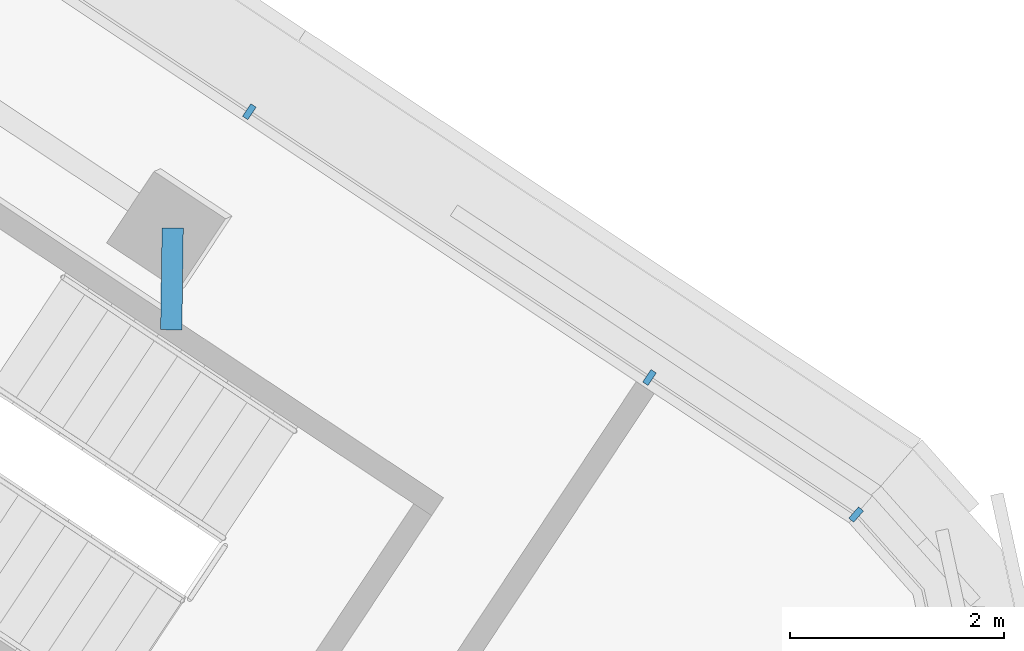
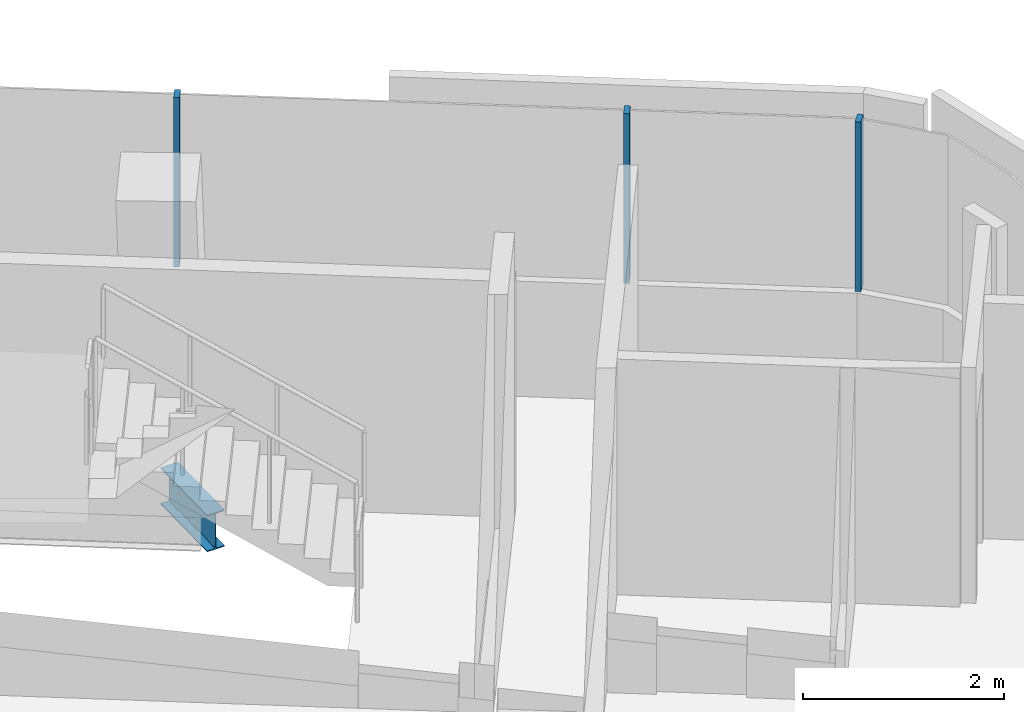
# One storey, part 14 of 27: 3 members, 1 beam, 1 element without a shape of its own.
"""IFC4 building model written with IfcOpenShell, lengths in metres."""

import ifcopenshell
import ifcopenshell.guid

model = None  # the IFC model being written
_history = None  # IfcOwnerHistory: only IFC2X3 demands one
_inside = {}  # id of a spatial element -> (the spatial element, [elements in it])
_under = {}  # id of a project, library or spatial element -> (it, [spatial elements below it])
_declared = {}  # id of a project -> (the project, [libraries it declares])
_typed = {}  # id of a type object -> (the type object, [elements of that type])
_made_of = {}  # id of a material, layer set ... -> (it, [elements and type objects made of it])


def new_model(schema):
    """Start an empty IFC model of exactly this schema.

    Asked for "IFC4X3", IfcOpenShell would pick the latest addendum, in which some entities
    have other attributes; the version numbers below select the first issue.
    IFC2X3 requires an IfcOwnerHistory on every rooted entity: one is made here for all.
    """
    global model, _history
    if schema == "IFC4X3":
        model = ifcopenshell.file(schema_version=(4, 3, 0, 0))
    else:
        model = ifcopenshell.file(schema=schema)
    _inside.clear()
    _under.clear()
    _declared.clear()
    _typed.clear()
    _made_of.clear()
    _history = None
    if model.schema == "IFC2X3":
        org = make("IfcOrganization", Name="unknown")
        user = make(
            "IfcPersonAndOrganization",
            ThePerson=make("IfcPerson", FamilyName="unknown"),
            TheOrganization=org,
        )
        app = make(
            "IfcApplication",
            ApplicationDeveloper=org,
            Version="unknown",
            ApplicationFullName="unknown",
            ApplicationIdentifier="unknown",
        )
        _history = make(
            "IfcOwnerHistory",
            OwningUser=user,
            OwningApplication=app,
            ChangeAction="ADDED",
            CreationDate=0,
        )
    return model


def make(cls, **values):
    """One entity of the class cls with the attributes given. An attribute that is None is left unset."""
    return model.create_entity(
        cls, **{name: value for name, value in values.items() if value is not None}
    )


def rooted(cls, **values):
    """An entity with a GlobalId (a new one), such as an element, a storey or a relation."""
    return make(cls, GlobalId=ifcopenshell.guid.new(), OwnerHistory=_history, **values)


def si_unit(unit_type, name, prefix=None):
    """IfcSIUnit, for example si_unit("LENGTHUNIT", "METRE", prefix="MILLI")."""
    return make("IfcSIUnit", UnitType=unit_type, Prefix=prefix, Name=name)


def assignment(units):
    """IfcUnitAssignment: the units of a project."""
    return None if units is None else make("IfcUnitAssignment", Units=units)


def point(xyz):
    """IfcCartesianPoint."""
    return None if xyz is None else make("IfcCartesianPoint", Coordinates=xyz)


def direction(xyz):
    """IfcDirection."""
    return None if xyz is None else make("IfcDirection", DirectionRatios=xyz)


def frame(location, z_axis=None, x_axis=None):
    """IfcAxis2Placement3D, a coordinate frame: its origin and axes. An axis left out is left unset."""
    return make(
        "IfcAxis2Placement3D",
        Location=point(location),
        Axis=direction(z_axis),
        RefDirection=direction(x_axis),
    )


def frame_2d(location, x_axis=None):
    """IfcAxis2Placement2D, a coordinate frame in the plane: its origin and x axis."""
    return make(
        "IfcAxis2Placement2D", Location=point(location), RefDirection=direction(x_axis)
    )


def origin():
    """The frame at (0, 0, 0) with its axes left unset."""
    return frame((0.0, 0.0, 0.0))


def origin_2d():
    """The frame at (0, 0) in the plane with its x axis left unset."""
    return frame_2d((0.0, 0.0))


def place(relative_to, where):
    """IfcLocalPlacement: puts the frame where relative to a parent placement (None: the world)."""
    return make(
        "IfcLocalPlacement", PlacementRelTo=relative_to, RelativePlacement=where
    )


def context(
    kind, dimensions, precision=None, world=None, true_north=None, identifier=None
):
    """IfcGeometricRepresentationContext, for example the 3D "Model" context."""
    return make(
        "IfcGeometricRepresentationContext",
        ContextIdentifier=identifier,
        ContextType=kind,
        CoordinateSpaceDimension=dimensions,
        Precision=precision,
        WorldCoordinateSystem=world,
        TrueNorth=true_north,
    )


def subcontext(parent, identifier, kind, view, scale=None):
    """IfcGeometricRepresentationSubContext, for example "Body" below "Model"."""
    return make(
        "IfcGeometricRepresentationSubContext",
        ContextIdentifier=identifier,
        ContextType=kind,
        ParentContext=parent,
        TargetScale=scale,
        TargetView=view,
    )


def project(units=None, contexts=None):
    """IfcProject with its units and contexts."""
    return rooted(
        "IfcProject",
        Name="project",
        RepresentationContexts=contexts,
        UnitsInContext=assignment(units),
    )


def spatial(cls, under=None, at=None, **own):
    """A site, building, storey or space (cls), placed at a placement, below another one or the project."""
    s = rooted(cls, ObjectPlacement=at, **own)
    if under is not None:
        _under.setdefault(under.id(), (under, []))[1].append(s)
    return s


def profile(cls, at=None, kind="AREA", **sizes):
    """A parametric profile (cls). Its sizes go by their IFC names, for example OverallWidth=200.0."""
    return make(cls, ProfileType=kind, Position=at, **sizes)


def rectangle(**sizes):
    """IfcRectangleProfileDef."""
    return profile("IfcRectangleProfileDef", **sizes)


def i_section(**sizes):
    """IfcIShapeProfileDef."""
    return profile("IfcIShapeProfileDef", **sizes)


def extrude(swept, where, along, depth):
    """IfcExtrudedAreaSolid: the profile swept, set in the frame where, extruded along a direction by depth."""
    return make(
        "IfcExtrudedAreaSolid",
        SweptArea=swept,
        Position=where,
        ExtrudedDirection=direction(along),
        Depth=depth,
    )


def shape(context_of_items, identifier, shape_type, items):
    """IfcShapeRepresentation: the items that make up one representation, for example the "Body"."""
    return make(
        "IfcShapeRepresentation",
        ContextOfItems=context_of_items,
        RepresentationIdentifier=identifier,
        RepresentationType=shape_type,
        Items=items,
    )


def material(Name=None, Category=None):
    """IfcMaterial."""
    return make("IfcMaterial", Name=Name, Category=Category)


def layer(
    of_material, thickness, ventilated=None, Name=None, Category=None, Priority=None
):
    """IfcMaterialLayer: one layer of a wall or slab, of a material (None: an air gap)."""
    return make(
        "IfcMaterialLayer",
        Material=of_material,
        LayerThickness=thickness,
        IsVentilated=ventilated,
        Name=Name,
        Category=Category,
        Priority=Priority,
    )


def layer_set(layers, Name=None):
    """IfcMaterialLayerSet."""
    return make("IfcMaterialLayerSet", MaterialLayers=layers, LayerSetName=Name)


def material_profile(
    of_material, cross_section, Name=None, Category=None, Priority=None
):
    """IfcMaterialProfile: a cross section and its material."""
    return make(
        "IfcMaterialProfile",
        Name=Name,
        Material=of_material,
        Profile=cross_section,
        Priority=Priority,
        Category=Category,
    )


def profile_set(profiles, Name=None, composite=None):
    """IfcMaterialProfileSet."""
    return make(
        "IfcMaterialProfileSet",
        Name=Name,
        MaterialProfiles=profiles,
        CompositeProfile=composite,
    )


def made_of(thing, what):
    """Note that an element or type object is made of a material, layer set ...; save() writes the relation."""
    if what is not None:
        _made_of.setdefault(what.id(), (what, []))[1].append(thing)
    return thing


def type_object(cls, material=None, **own):
    """A type object (cls), such as IfcWallType, which elements share."""
    return made_of(rooted(cls, **own), material)


def element(
    cls,
    number,
    at=None,
    inside=None,
    cuts=None,
    type_object=None,
    material=None,
    context=None,
    identifier="Body",
    shape_type=None,
    held_by="IfcProductDefinitionShape",
    body=None,
    shapes=None,
    **own,
):
    """One element of the class cls, such as IfcWall. Its Tag is "e" and its number.

    at: its placement. inside: the storey or other place that contains it. cuts: it is an
    opening in that element (IfcRelVoidsElement). A single representation is given by context,
    identifier, shape_type and body (its items); several are given by shapes. held_by: the class
    of the entity that holds the representations. save() writes the other relations.
    """
    e = rooted(cls, Tag="e%d" % number, ObjectPlacement=at, **own)
    if body is not None:
        shapes = [shape(context, identifier, shape_type, body)]
    if shapes is not None:
        e.Representation = make(held_by, Representations=shapes)
    if inside is not None:
        _inside.setdefault(inside.id(), (inside, []))[1].append(e)
    if cuts is not None:
        rooted(
            "IfcRelVoidsElement", RelatingBuildingElement=cuts, RelatedOpeningElement=e
        )
    if type_object is not None:
        _typed.setdefault(type_object.id(), (type_object, []))[1].append(e)
    return made_of(e, material)


def aggregate(whole, parts):
    """IfcRelAggregates: a whole, such as a stair, and the parts it consists of."""
    return rooted("IfcRelAggregates", RelatingObject=whole, RelatedObjects=parts)


def save(model, path):
    """Write the relations noted so far, then the file.

    IfcRelAggregates (storeys below a building ...), IfcRelContainedInSpatialStructure (elements
    in a storey), IfcRelDefinesByType, IfcRelAssociatesMaterial and IfcRelDeclares: one each for
    every whole, place, type object, material and project.
    """
    for whole, parts in _under.values():
        aggregate(whole, parts)
    for where, things in _inside.values():
        rooted(
            "IfcRelContainedInSpatialStructure",
            RelatedElements=things,
            RelatingStructure=where,
        )
    for kind, things in _typed.values():
        rooted("IfcRelDefinesByType", RelatedObjects=things, RelatingType=kind)
    for what, things in _made_of.values():
        rooted("IfcRelAssociatesMaterial", RelatedObjects=things, RelatingMaterial=what)
    for by, libraries in _declared.values():
        rooted("IfcRelDeclares", RelatingContext=by, RelatedDefinitions=libraries)
    model.write(path)


model = new_model("IFC4")

# Units and contexts
model_context = context("Model", 3, precision=1e-05, world=origin(), true_north=direction((0.0, 1.0)))
body_context = subcontext(model_context, "Body", "Model", "MODEL_VIEW")
ifc_project = project(units=[si_unit("LENGTHUNIT", "METRE"), si_unit("AREAUNIT", "SQUARE_METRE"), si_unit("VOLUMEUNIT", "CUBIC_METRE"), si_unit("PLANEANGLEUNIT", "RADIAN"), si_unit("MASSUNIT", "GRAM", prefix="KILO")], contexts=[model_context])

# Site, building, storey
site_placement = place(None, origin())
site = spatial("IfcSite", under=ifc_project, at=site_placement, CompositionType="ELEMENT")
building_placement = place(site_placement, origin())
building = spatial("IfcBuilding", under=site, at=building_placement, Name="Tamarind Cross Interchange Tower", CompositionType="ELEMENT")
storey_placement = place(building_placement, frame((0.0, 0.0, 237.89990234375)))
storey = spatial("IfcBuildingStorey", under=building, at=storey_placement, Name="L60", CompositionType="ELEMENT", Elevation=237.89990234375)

# Beam
ifc_material_1 = material(Name="Steel Q355B", Category="steel")
ifc_material_profile_1 = material_profile(ifc_material_1, i_section(OverallWidth=0.198974609375, OverallDepth=0.446044921875, WebThickness=0.008056640625, FlangeThickness=0.011962890625, FilletRadius=0.012939453125, at=origin_2d()), Name="HN 446x199x8x12")
ifc_profile_set_1 = profile_set([ifc_material_profile_1], Name="Steel Q355B")
beam_type = type_object("IfcBeamType", Name="Composite beam HN 446x199x8x12 Q355B", PredefinedType="BEAM", material=ifc_profile_set_1)
beam_placement = place(storey_placement, frame((-3.87255859375, 31.1728515625, -0.36279296875), z_axis=(-0.014372232031, -0.999896714139, 0.0), x_axis=(0.999896714139, -0.014372232031, 0.0)))
element("IfcBeam", 1, at=beam_placement, inside=storey, type_object=beam_type, Name="Beam N-linkemt0", PredefinedType="BEAM", context=body_context, shape_type="SweptSolid", body=[
    extrude(i_section(OverallWidth=0.198974609375, OverallDepth=0.446044921875, WebThickness=0.008056640625, FlangeThickness=0.011962890625, FilletRadius=0.012939453125, at=origin_2d()), origin(), (0.0, 0.0, 1.0), 0.951171875),
])

# Curtain wall, members
ifc_material_2 = material(Name="Aluminium 6063-T6", Category="aluminium")
ifc_layer = layer(ifc_material_2, 0.139892578125)
ifc_layer_set = layer_set([ifc_layer], Name="Aluminium 6063-T6")
curtain_wall_type = type_object("IfcCurtainWallType", Name="Hotel curtain wall, 4.5 m bays", PredefinedType="NOTDEFINED", material=ifc_layer_set)
curtain_wall_placement = place(storey_placement, origin())
curtain_wall = element("IfcCurtainWall", 2, at=curtain_wall_placement, inside=storey, type_object=curtain_wall_type, Name="CWS-L60-03", PredefinedType="NOTDEFINED")
ifc_material_profile_2 = material_profile(ifc_material_2, rectangle(XDim=0.06005859375, YDim=0.139892578125, at=origin_2d()), Name="Mullion CW2")
ifc_profile_set_2 = profile_set([ifc_material_profile_2], Name="Aluminium 6063-T6")
member_type = type_object("IfcMemberType", Name="Mullion CW2", PredefinedType="MULLION", material=ifc_profile_set_2)
member_1_placement = place(storey_placement, frame((2.50927734375, 28.496337890625, 1.400146484375), z_axis=(0.0, 0.0, 1.0), x_axis=(-0.755391494653, 0.655273751806, 0.0)))
member_1 = element("IfcMember", 3, at=member_1_placement, type_object=member_type, Name="CWM-L60-03-00", PredefinedType="MULLION", context=body_context, shape_type="SweptSolid", body=[
    extrude(rectangle(XDim=0.06005859375, YDim=0.139892578125, at=origin_2d()), origin(), (0.0, 0.0, 1.0), 2.06005859375),
])
member_2_placement = place(storey_placement, frame((0.580078125, 29.777099609375, 1.400146484375), z_axis=(0.0, 0.0, 1.0), x_axis=(-0.833106637229, 0.55311240359, 0.0)))
member_2 = element("IfcMember", 4, at=member_2_placement, type_object=member_type, Name="CWM-L60-03-01", PredefinedType="MULLION", context=body_context, shape_type="SweptSolid", body=[
    extrude(rectangle(XDim=0.06005859375, YDim=0.139892578125, at=origin_2d()), origin(), (0.0, 0.0, 1.0), 2.06005859375),
])
member_3_placement = place(storey_placement, frame((-3.156982421875, 32.25830078125, 1.400146484375), z_axis=(0.0, 0.0, 1.0), x_axis=(-0.833106637229, 0.55311240359, 0.0)))
member_3 = element("IfcMember", 5, at=member_3_placement, type_object=member_type, Name="CWM-L60-03-02", PredefinedType="MULLION", context=body_context, shape_type="SweptSolid", body=[
    extrude(rectangle(XDim=0.06005859375, YDim=0.139892578125, at=origin_2d()), origin(), (0.0, 0.0, 1.0), 2.06005859375),
])
aggregate(curtain_wall, [member_1, member_2, member_3])

save(model, "model.ifc")
